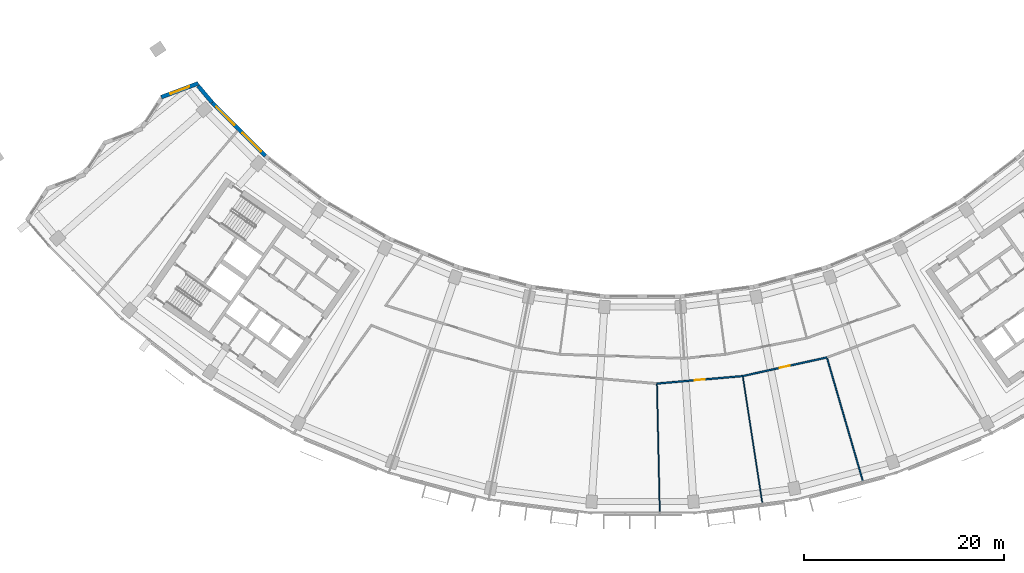
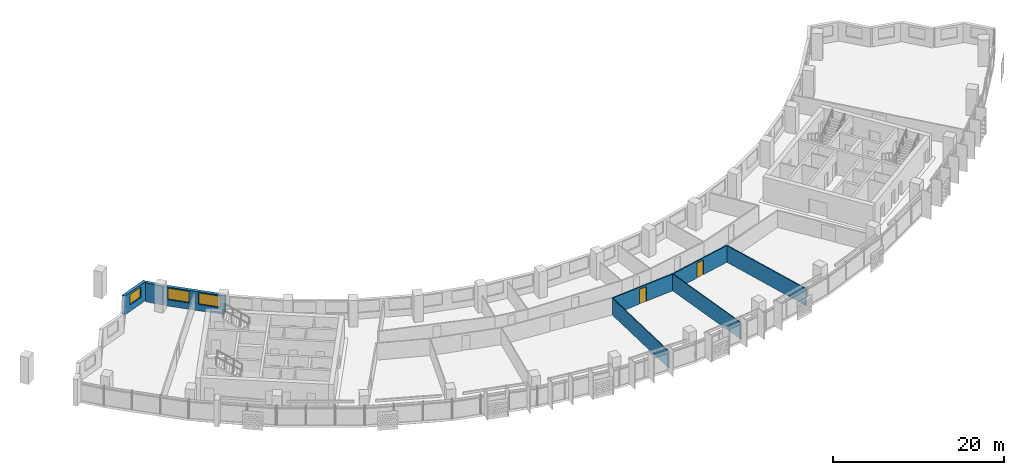
# One storey, part 5 of 27: 8 walls, 3 windows, 2 doors, 5 openings.
"""IFC4 building model written with IfcOpenShell, lengths in metres."""

from ifc_helpers import new_model, si_unit, direction, frame, frame_2d, origin, place, context, subcontext, project, spatial, rectangle, extrude, material, layer, layer_set, type_object, element, fill, save


model = new_model("IFC4")

# Units and contexts
model_context = context("Model", 3, precision=1e-05, world=origin(), true_north=direction((0.0, 1.0)))
body_context = subcontext(model_context, "Body", "Model", "MODEL_VIEW")
ifc_project = project(units=[si_unit("LENGTHUNIT", "METRE"), si_unit("AREAUNIT", "SQUARE_METRE"), si_unit("VOLUMEUNIT", "CUBIC_METRE"), si_unit("PLANEANGLEUNIT", "RADIAN"), si_unit("MASSUNIT", "GRAM", prefix="KILO")], contexts=[model_context])

# Site, building, storey
site_placement = place(None, origin())
site = spatial("IfcSite", under=ifc_project, at=site_placement, CompositionType="ELEMENT")
building_placement = place(site_placement, origin())
building = spatial("IfcBuilding", under=site, at=building_placement, Name="Qamariyya Broadcast Tower", CompositionType="ELEMENT")
storey_placement = place(building_placement, frame((0.0, 0.0, 191.10009765625)))
storey = spatial("IfcBuildingStorey", under=building, at=storey_placement, Name="L45", CompositionType="ELEMENT", Elevation=191.10009765625)

# Wall, opening, door
ifc_material_1 = material(Name="Gypsum board partition")
ifc_layer_1 = layer(ifc_material_1, 0.14990234375)
ifc_layer_set_1 = layer_set([ifc_layer_1], Name="Corridor partition 150 EI 60")
wall_type_1 = type_object("IfcWallType", Name="Corridor partition 150 EI 60", PredefinedType="PARTITIONING", material=ifc_layer_set_1)
wall_1_placement = place(storey_placement, frame((10.011474609375, -65.033935546875, 0.0), z_axis=(0.0, 0.0, 1.0), x_axis=(-0.996193717496, -0.087166950281, 0.0)))
wall_1 = element("IfcWall", 1, at=wall_1_placement, inside=storey, type_object=wall_type_1, Name="Partition L45-014", PredefinedType="PARTITIONING", context=body_context, shape_type="SweptSolid", body=[
    extrude(rectangle(XDim=8.60693359375, YDim=0.14990234375, at=frame_2d((4.303466796875, 0.0))), origin(), (0.0, 0.0, 1.0), 2.39990234375),
])
opening_1_placement = place(wall_1_placement, frame((3.803466796875, 0.0, 0.0)))
opening_1 = element("IfcOpeningElement", 2, at=opening_1_placement, cuts=wall_1, Name="Opening L45-D04", PredefinedType="OPENING", context=body_context, shape_type="SweptSolid", body=[
    extrude(rectangle(XDim=1.0, YDim=2.10009765625, at=frame_2d((0.5, 1.050048828125))), frame((0.0, 0.0849609375, 0.0), z_axis=(0.0, -1.0, 0.0), x_axis=(1.0, 0.0, 0.0)), (0.0, 0.0, 1.0), 0.169921875),
])
ifc_material_2 = material(Name="Timber fire door leaf", Category="wood")
door_type = type_object("IfcDoorType", Name="Fire door 1000 x 2100 FD60", OperationType="NOTDEFINED", PredefinedType="DOOR", material=ifc_material_2)
door_1_placement = place(opening_1_placement, origin())
door_1 = element("IfcDoor", 3, at=door_1_placement, inside=storey, type_object=door_type, Name="Door L45-D04", OperationType="SINGLE_SWING_RIGHT", OverallHeight=2.10009765625, OverallWidth=1.0, PredefinedType="DOOR", context=body_context, shape_type="SweptSolid", body=[
    extrude(rectangle(XDim=1.0, YDim=2.10009765625, at=frame_2d((0.5, 1.050048828125))), frame((0.0, 0.02490234375, 0.0), z_axis=(0.0, -1.0, 0.0), x_axis=(1.0, 0.0, 0.0)), (0.0, 0.0, 1.0), 0.050048828125),
])
fill(opening_1, door_1)

wall_2_placement = place(storey_placement, frame((18.41455078125, -63.170654296875, 0.0), z_axis=(0.0, 0.0, 1.0), x_axis=(-0.976287067192, -0.216479935408, 0.0)))
wall_2 = element("IfcWall", 4, at=wall_2_placement, inside=storey, type_object=wall_type_1, Name="Partition L45-020", PredefinedType="PARTITIONING", context=body_context, shape_type="SweptSolid", body=[
    extrude(rectangle(XDim=8.607177734375, YDim=0.14990234375, at=frame_2d((4.3037109375, 0.0))), origin(), (0.0, 0.0, 1.0), 2.39990234375),
])
opening_2_placement = place(wall_2_placement, frame((3.803466796875, 0.0, 0.0)))
opening_2 = element("IfcOpeningElement", 5, at=opening_2_placement, cuts=wall_2, Name="Opening L45-D05", PredefinedType="OPENING", context=body_context, shape_type="SweptSolid", body=[
    extrude(rectangle(XDim=1.0, YDim=2.10009765625, at=frame_2d((0.5, 1.050048828125))), frame((0.0, 0.0849609375, 0.0), z_axis=(0.0, -1.0, 0.0), x_axis=(1.0, 0.0, 0.0)), (0.0, 0.0, 1.0), 0.169921875),
])
door_2_placement = place(opening_2_placement, origin())
door_2 = element("IfcDoor", 6, at=door_2_placement, inside=storey, type_object=door_type, Name="Door L45-D05", OperationType="SINGLE_SWING_RIGHT", OverallHeight=2.10009765625, OverallWidth=1.0, PredefinedType="DOOR", context=body_context, shape_type="SweptSolid", body=[
    extrude(rectangle(XDim=1.0, YDim=2.10009765625, at=frame_2d((0.5, 1.050048828125))), frame((0.0, 0.02490234375, 0.0), z_axis=(0.0, -1.0, 0.0), x_axis=(1.0, 0.0, 0.0)), (0.0, 0.0, 1.0), 0.050048828125),
])
fill(opening_2, door_2)

# Walls
ifc_material_3 = material(Name="Operable acoustic wall panels")
ifc_layer_2 = layer(ifc_material_3, 0.125)
ifc_layer_set_2 = layer_set([ifc_layer_2], Name="Operable acoustic partition 125")
wall_type_2 = type_object("IfcWallType", Name="Operable acoustic partition 125", PredefinedType="MOVABLE", material=ifc_layer_set_2)
wall_3_placement = place(storey_placement, frame((22.010498046875, -75.507080078125, 0.0), z_axis=(0.0, 0.0, 1.0), x_axis=(-0.279843682865, 0.960045578689, 0.0)))
element("IfcWall", 7, at=wall_3_placement, inside=storey, type_object=wall_type_2, Name="Operable partition L45-026", PredefinedType="MOVABLE", context=body_context, shape_type="SweptSolid", body=[
    extrude(rectangle(XDim=12.77490234375, YDim=0.125, at=frame_2d((6.387451171875, 0.0))), origin(), (0.0, 0.0, 1.0), 2.39990234375),
])
ifc_layer_3 = layer(ifc_material_1, 0.10009765625)
ifc_layer_set_3 = layer_set([ifc_layer_3], Name="Partition 100")
wall_type_3 = type_object("IfcWallType", Name="Partition 100", PredefinedType="PARTITIONING", material=ifc_layer_set_3)
for number, where, z_axis, x_axis, name in (
    (8, (1.718017578125, -78.630859375, 0.0), (0.0, 0.0, 1.0), (-0.021844457465, 0.99976138137, 0.0), "Partition L45-015"),
    (9, (11.966552734375, -77.73388671875, 0.0), (0.0, 0.0, 1.0), (-0.152147660046, 0.988357774059, 0.0), "Partition L45-021"),
):
    element("IfcWall", number, at=place(storey_placement, frame(where, z_axis=z_axis, x_axis=x_axis)), inside=storey, type_object=wall_type_3, Name=name, PredefinedType="PARTITIONING", context=body_context, shape_type="SweptSolid", body=[
        extrude(rectangle(XDim=12.7744140625, YDim=0.10009765625, at=frame_2d((6.38720703125, 0.0))), origin(), (0.0, 0.0, 1.0), 2.39990234375),
    ])

# Wall, opening, window
ifc_material_4 = material(Name="Terracotta", Category="masonry")
ifc_layer_4 = layer(ifc_material_4, 0.39990234375)
ifc_layer_set_4 = layer_set([ifc_layer_4], Name="Terracotta clad wall 400")
wall_type_4 = type_object("IfcWallType", Name="Terracotta clad wall 400", PredefinedType="SOLIDWALL", material=ifc_layer_set_4)
wall_4_placement = place(storey_placement, frame((-44.39404296875, -35.77783203125, 0.0), z_axis=(0.0, 0.0, 1.0), x_axis=(-0.936765343719, -0.349958127219, 0.0)))
wall_4 = element("IfcWall", 10, at=wall_4_placement, inside=storey, type_object=wall_type_4, Name="e-wl-L45-capW0", PredefinedType="SOLIDWALL", context=body_context, shape_type="SweptSolid", body=[
    extrude(rectangle(XDim=3.949951171875, YDim=0.39990234375, at=frame_2d((1.97509765625, 0.0))), origin(), (0.0, 0.0, 1.0), 2.699951171875),
])
opening_3_placement = place(wall_4_placement, frame((0.974853515625, 0.0, 0.89990234375)))
opening_3 = element("IfcOpeningElement", 11, at=opening_3_placement, cuts=wall_4, Name="Opening W4", PredefinedType="OPENING", context=body_context, shape_type="SweptSolid", body=[
    extrude(rectangle(XDim=2.0, YDim=1.5, at=frame_2d((1.0, 0.75))), frame((0.0, 0.2099609375, 0.0), z_axis=(0.0, -1.0, 0.0), x_axis=(1.0, 0.0, 0.0)), (0.0, 0.0, 1.0), 0.419921875),
])
ifc_material_5 = material(Name="Clear low-e double glazed unit in aluminium frame", Category="aluminium")
window_type_1 = type_object("IfcWindowType", Name="Horn bay window 2000 x 1500", PartitioningType="SINGLE_PANEL", PredefinedType="WINDOW", material=ifc_material_5)
window_1_placement = place(opening_3_placement, origin())
window_1 = element("IfcWindow", 12, at=window_1_placement, inside=storey, type_object=window_type_1, Name="e-w-L45-capW0", OverallHeight=1.5, OverallWidth=2.0, PartitioningType="SINGLE_PANEL", PredefinedType="WINDOW", context=body_context, shape_type="SweptSolid", body=[
    extrude(rectangle(XDim=2.0, YDim=1.5, at=frame_2d((1.0, 0.75))), frame((0.0, 0.030029296875, 0.0), z_axis=(0.0, -1.0, 0.0), x_axis=(1.0, 0.0, 0.0)), (0.0, 0.0, 1.0), 0.06005859375),
])
fill(opening_3, window_1)

# Wall
wall_5_placement = place(storey_placement, frame((-43.0234375, -37.693115234375, 0.0), z_axis=(0.0, 0.0, 1.0), x_axis=(-0.642139086711, 0.766588151042, 0.0)))
element("IfcWall", 13, at=wall_5_placement, inside=storey, type_object=wall_type_4, Name="e-wl-L45-in00", PredefinedType="SOLIDWALL", context=body_context, shape_type="SweptSolid", body=[
    extrude(rectangle(XDim=2.159912109375, YDim=0.39990234375, at=frame_2d((1.080078125, 0.0))), origin(), (0.0, 0.0, 1.0), 2.699951171875),
])

# Wall, openings, windows
wall_6_placement = place(storey_placement, frame((-37.697265625, -43.023193359375, 0.0), z_axis=(0.0, 0.0, 1.0), x_axis=(-0.707106781187, 0.707106781187, 0.0)))
wall_6 = element("IfcWall", 14, at=wall_6_placement, inside=storey, type_object=wall_type_4, Name="e-wl-L45-in10", PredefinedType="SOLIDWALL", context=body_context, shape_type="SweptSolid", body=[
    extrude(rectangle(XDim=7.517822265625, YDim=0.39990234375, at=frame_2d((3.7587890625, 0.0))), origin(), (0.0, 0.0, 1.0), 2.699951171875),
])
opening_4_placement = place(wall_6_placement, frame((4.330078125, 0.0, 0.89990234375)))
opening_4 = element("IfcOpeningElement", 15, at=opening_4_placement, cuts=wall_6, Name="Opening W1", PredefinedType="OPENING", context=body_context, shape_type="SweptSolid", body=[
    extrude(rectangle(XDim=2.60009765625, YDim=1.64990234375, at=frame_2d((1.300048828125, 0.824951171875))), frame((0.0, 0.2099609375, 0.0), z_axis=(0.0, -1.0, 0.0), x_axis=(1.0, 0.0, 0.0)), (0.0, 0.0, 1.0), 0.419921875),
])
opening_5_placement = place(wall_6_placement, frame((0.60205078125, 0.0, 0.89990234375)))
opening_5 = element("IfcOpeningElement", 16, at=opening_5_placement, cuts=wall_6, Name="Opening W1", PredefinedType="OPENING", context=body_context, shape_type="SweptSolid", body=[
    extrude(rectangle(XDim=2.60009765625, YDim=1.64990234375, at=frame_2d((1.300048828125, 0.824951171875))), frame((0.0, 0.2099609375, 0.0), z_axis=(0.0, -1.0, 0.0), x_axis=(1.0, 0.0, 0.0)), (0.0, 0.0, 1.0), 0.419921875),
])
window_type_2 = type_object("IfcWindowType", Name="Ribbon window 2600 x 1650", PartitioningType="SINGLE_PANEL", PredefinedType="WINDOW", material=ifc_material_5)
window_2_placement = place(opening_4_placement, origin())
window_2 = element("IfcWindow", 17, at=window_2_placement, inside=storey, type_object=window_type_2, Name="e-w-L45-in01-0", OverallHeight=1.64990234375, OverallWidth=2.60009765625, PartitioningType="SINGLE_PANEL", PredefinedType="WINDOW", context=body_context, shape_type="SweptSolid", body=[
    extrude(rectangle(XDim=2.60009765625, YDim=1.64990234375, at=frame_2d((1.300048828125, 0.824951171875))), frame((0.0, 0.030029296875, 0.0), z_axis=(0.0, -1.0, 0.0), x_axis=(1.0, 0.0, 0.0)), (0.0, 0.0, 1.0), 0.06005859375),
])
fill(opening_4, window_2)
window_3_placement = place(opening_5_placement, origin())
window_3 = element("IfcWindow", 18, at=window_3_placement, inside=storey, type_object=window_type_2, Name="e-w-L45-in01-1", OverallHeight=1.64990234375, OverallWidth=2.60009765625, PartitioningType="SINGLE_PANEL", PredefinedType="WINDOW", context=body_context, shape_type="SweptSolid", body=[
    extrude(rectangle(XDim=2.60009765625, YDim=1.64990234375, at=frame_2d((1.300048828125, 0.824951171875))), frame((0.0, 0.030029296875, 0.0), z_axis=(0.0, -1.0, 0.0), x_axis=(1.0, 0.0, 0.0)), (0.0, 0.0, 1.0), 0.06005859375),
])
fill(opening_5, window_3)

save(model, "model.ifc")
